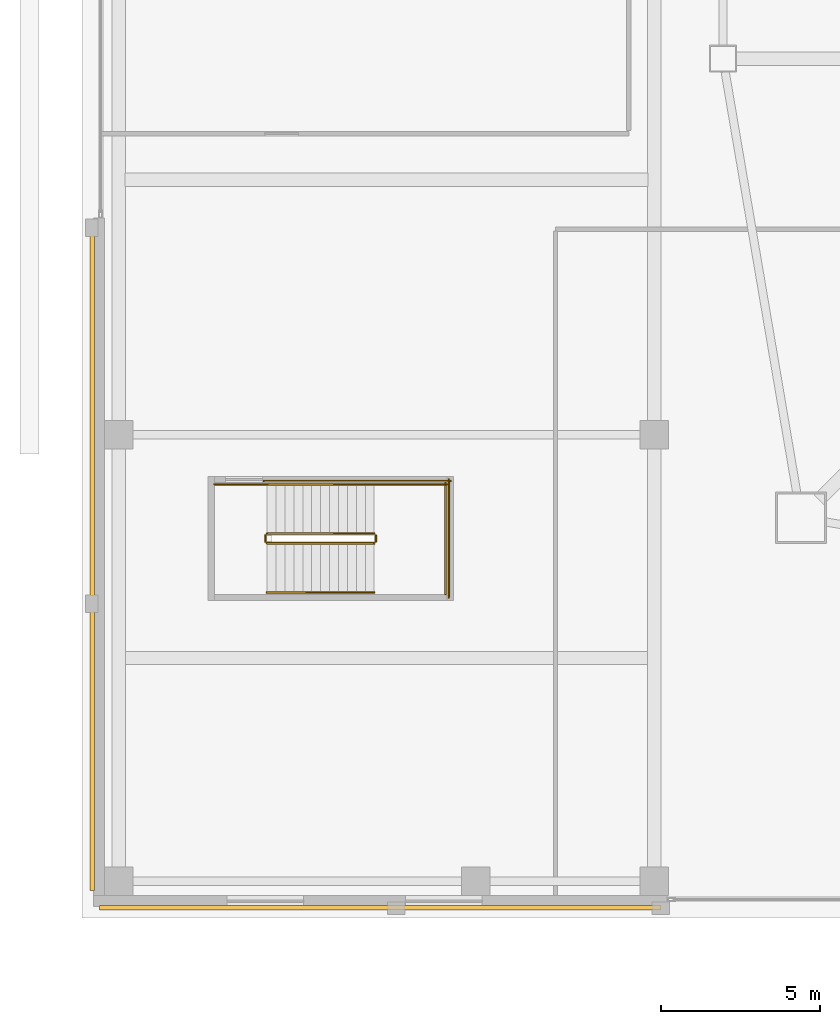
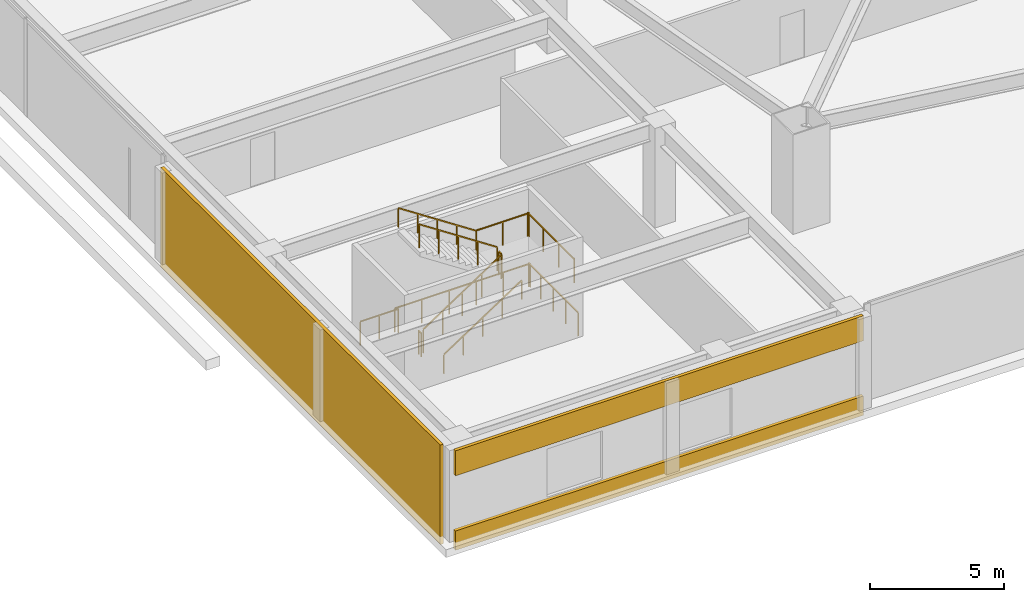
# One storey, part 36 of 44: 11 railings, 3 coverings.
"""IFC4 building model written with IfcOpenShell, lengths in metres."""

from ifc_helpers import new_model, si_unit, direction, frame, origin, origin_2d, place, context, subcontext, project, spatial, rectangle, extrude, material, layer, layer_set, type_object, element, save


model = new_model("IFC4")

# Units and contexts
model_context = context("Model", 3, precision=1e-05, world=origin(), true_north=direction((0.0, 1.0)))
body_context = subcontext(model_context, "Body", "Model", "MODEL_VIEW")
ifc_project = project(units=[si_unit("LENGTHUNIT", "METRE"), si_unit("AREAUNIT", "SQUARE_METRE"), si_unit("VOLUMEUNIT", "CUBIC_METRE"), si_unit("PLANEANGLEUNIT", "RADIAN"), si_unit("MASSUNIT", "GRAM", prefix="KILO")], contexts=[model_context])

# Site, building, storey
site_placement = place(None, origin())
site = spatial("IfcSite", under=ifc_project, at=site_placement, CompositionType="ELEMENT")
building_placement = place(site_placement, origin())
building = spatial("IfcBuilding", under=site, at=building_placement, Name="Tashvorn Skyway Center", CompositionType="ELEMENT")
storey_placement = place(building_placement, frame((0.0, 0.0, 5.39990234375)))
storey = spatial("IfcBuildingStorey", under=building, at=storey_placement, Name="L01", CompositionType="ELEMENT", Elevation=5.39990234375)

# Coverings
ifc_material_1 = material(Name="Precast concrete C40/50", Category="concrete")
ifc_layer = layer(ifc_material_1, 0.35009765625)
ifc_layer_set = layer_set([ifc_layer], Name="Precast concrete C40/50")
covering_type = type_object("IfcCoveringType", Name="COV-STONE-TRIM", PredefinedType="CLADDING", material=ifc_layer_set)
covering_1_placement = place(storey_placement, frame((9.0, -0.0400390625, 0.000244140625), z_axis=(0.0, 0.0, 1.0), x_axis=(1.0, 0.0, 0.0)))
element("IfcCovering", 1, at=covering_1_placement, inside=storey, type_object=covering_type, Name="L01 Limestone Sill Course S-W1", PredefinedType="CLADDING", context=body_context, shape_type="SweptSolid", body=[
    extrude(rectangle(XDim=17.60009765625, YDim=0.139892578125, at=origin_2d()), origin(), (0.0, 0.0, 1.0), 0.8798828125),
])
covering_2_placement = place(storey_placement, frame((9.0, -0.0400390625, 3.400390625), z_axis=(0.0, 0.0, 1.0), x_axis=(1.0, 0.0, 0.0)))
element("IfcCovering", 2, at=covering_2_placement, inside=storey, type_object=covering_type, Name="L01 Limestone Spandrel Course S-W1", PredefinedType="CLADDING", context=body_context, shape_type="SweptSolid", body=[
    extrude(rectangle(XDim=17.60009765625, YDim=0.139892578125, at=origin_2d()), origin(), (0.0, 0.0, 1.0), 1.139892578125),
])
covering_3_placement = place(storey_placement, frame((-0.0400390625, 10.949951171875, 0.0), z_axis=(0.0, 0.0, 1.0), x_axis=(1.0, 0.0, 0.0)))
element("IfcCovering", 3, at=covering_3_placement, inside=storey, type_object=covering_type, Name="L01 Limestone Rusticated Pier W-S", PredefinedType="CLADDING", context=body_context, shape_type="SweptSolid", body=[
    extrude(rectangle(XDim=0.139892578125, YDim=20.89990234375, at=origin_2d()), origin(), (0.0, 0.0, 1.0), 4.5400390625),
])

# Railings
ifc_material_2 = material(Name="Brushed stainless steel 316", Category="steel")
railing_type_1 = type_object("IfcRailingType", Name="RAIL-HAND-920", PredefinedType="HANDRAIL", material=ifc_material_2)
railing_1_placement = place(storey_placement, frame((5.449951171875, 9.85009765625, 0.184814453125)))
element("IfcRailing", 4, at=railing_1_placement, inside=storey, type_object=railing_type_1, Name="L01 ST-POD-1 stair handrail 1", PredefinedType="HANDRAIL", context=body_context, shape_type="SweptSolid", body=[
    extrude(rectangle(XDim=0.048095703125, YDim=0.048095703125, at=origin_2d()), frame((0.0, 0.0, 0.8759765625), z_axis=(0.834876476806, 0.0, 0.550437342915), x_axis=(0.0, 1.0, 0.0)), (0.0, 0.0, 1.0), 4.024658203125),
    extrude(rectangle(XDim=0.0419921875, YDim=0.0419921875, at=origin_2d()), origin(), (0.0, 0.0, 1.0), 0.851806640625),
    extrude(rectangle(XDim=0.0419921875, YDim=0.0419921875, at=origin_2d()), frame((0.840087890625, 0.0, 0.5537109375)), (0.0, 0.0, 1.0), 0.851806640625),
    extrude(rectangle(XDim=0.0419921875, YDim=0.0419921875, at=origin_2d()), frame((1.68017578125, 0.0, 1.107666015625)), (0.0, 0.0, 1.0), 0.851806640625),
    extrude(rectangle(XDim=0.0419921875, YDim=0.0419921875, at=origin_2d()), frame((2.52001953125, 0.0, 1.66162109375)), (0.0, 0.0, 1.0), 0.851806640625),
    extrude(rectangle(XDim=0.0419921875, YDim=0.0419921875, at=origin_2d()), frame((3.360107421875, 0.0, 2.21533203125)), (0.0, 0.0, 1.0), 0.851806640625),
])
railing_2_placement = place(storey_placement, frame((8.81005859375, 13.25, 2.584716796875)))
element("IfcRailing", 5, at=railing_2_placement, inside=storey, type_object=railing_type_1, Name="L01 ST-POD-1 stair handrail 2", PredefinedType="HANDRAIL", context=body_context, shape_type="SweptSolid", body=[
    extrude(rectangle(XDim=0.048095703125, YDim=0.048095703125, at=origin_2d()), frame((0.0, 0.0, 0.8759765625), z_axis=(-0.834876476806, 0.0, 0.550437342915), x_axis=(0.0, -1.0, 0.0)), (0.0, 0.0, 1.0), 4.024658203125),
    extrude(rectangle(XDim=0.0419921875, YDim=0.0419921875, at=origin_2d()), origin(), (0.0, 0.0, 1.0), 0.851806640625),
    extrude(rectangle(XDim=0.0419921875, YDim=0.0419921875, at=origin_2d()), frame((-0.840087890625, 0.0, 0.5537109375)), (0.0, 0.0, 1.0), 0.851806640625),
    extrude(rectangle(XDim=0.0419921875, YDim=0.0419921875, at=origin_2d()), frame((-1.68017578125, 0.0, 1.107666015625)), (0.0, 0.0, 1.0), 0.851806640625),
    extrude(rectangle(XDim=0.0419921875, YDim=0.0419921875, at=origin_2d()), frame((-2.52001953125, 0.0, 1.66162109375)), (0.0, 0.0, 1.0), 0.851806640625),
    extrude(rectangle(XDim=0.0419921875, YDim=0.0419921875, at=origin_2d()), frame((-3.360107421875, 0.0, 2.21533203125)), (0.0, 0.0, 1.0), 0.851806640625),
])
ifc_material_3 = material(Name="Painted galvanized steel S355", Category="steel")
railing_type_2 = type_object("IfcRailingType", Name="RAIL-STGUARD-1100", PredefinedType="GUARDRAIL", material=ifc_material_3)
railing_3_placement = place(storey_placement, frame((5.449951171875, 11.39990234375, 0.184814453125)))
element("IfcRailing", 6, at=railing_3_placement, inside=storey, type_object=railing_type_2, Name="L01 ST-POD-1 stair guard 1", PredefinedType="GUARDRAIL", context=body_context, shape_type="SweptSolid", body=[
    extrude(rectangle(XDim=0.048095703125, YDim=0.048095703125, at=origin_2d()), frame((0.0, 0.0, 1.076171875), z_axis=(0.834876476806, 0.0, 0.550437342915), x_axis=(0.0, 1.0, 0.0)), (0.0, 0.0, 1.0), 4.024658203125),
    extrude(rectangle(XDim=0.0419921875, YDim=0.0419921875, at=origin_2d()), origin(), (0.0, 0.0, 1.0), 1.052001953125),
    extrude(rectangle(XDim=0.0419921875, YDim=0.0419921875, at=origin_2d()), frame((0.840087890625, 0.0, 0.5537109375)), (0.0, 0.0, 1.0), 1.052001953125),
    extrude(rectangle(XDim=0.0419921875, YDim=0.0419921875, at=origin_2d()), frame((1.68017578125, 0.0, 1.107666015625)), (0.0, 0.0, 1.0), 1.052001953125),
    extrude(rectangle(XDim=0.0419921875, YDim=0.0419921875, at=origin_2d()), frame((2.52001953125, 0.0, 1.66162109375)), (0.0, 0.0, 1.0), 1.052001953125),
    extrude(rectangle(XDim=0.0419921875, YDim=0.0419921875, at=origin_2d()), frame((3.360107421875, 0.0, 2.21533203125)), (0.0, 0.0, 1.0), 1.052001953125),
])
railing_4_placement = place(storey_placement, frame((8.860107421875, 11.449951171875, 2.400146484375)))
element("IfcRailing", 7, at=railing_4_placement, inside=storey, type_object=railing_type_2, Name="L01 ST-POD-1 stair guard 2", PredefinedType="GUARDRAIL", context=body_context, shape_type="SweptSolid", body=[
    extrude(rectangle(XDim=0.048095703125, YDim=0.048095703125, at=origin_2d()), frame((0.0, 0.0, 1.076171875), z_axis=(0.0, 1.0, 0.0), x_axis=(-1.0, 0.0, 0.0)), (0.0, 0.0, 1.0), 0.199951171875),
    extrude(rectangle(XDim=0.0419921875, YDim=0.0419921875, at=origin_2d()), origin(), (0.0, 0.0, 1.0), 1.052001953125),
    extrude(rectangle(XDim=0.0419921875, YDim=0.0419921875, at=origin_2d()), frame((0.0, 0.199951171875, 0.0)), (0.0, 0.0, 1.0), 1.052001953125),
])
railing_5_placement = place(storey_placement, frame((8.81005859375, 13.25, 2.400146484375)))
element("IfcRailing", 8, at=railing_5_placement, inside=storey, type_object=railing_type_2, Name="L01 ST-POD-1 stair guard 3", PredefinedType="GUARDRAIL", context=body_context, shape_type="SweptSolid", body=[
    extrude(rectangle(XDim=0.048095703125, YDim=0.048095703125, at=origin_2d()), frame((0.0, 0.0, 1.076171875), z_axis=(1.0, 0.0, 0.0), x_axis=(0.0, 1.0, 0.0)), (0.0, 0.0, 1.0), 2.2900390625),
    extrude(rectangle(XDim=0.0419921875, YDim=0.0419921875, at=origin_2d()), origin(), (0.0, 0.0, 1.0), 1.052001953125),
    extrude(rectangle(XDim=0.0419921875, YDim=0.0419921875, at=origin_2d()), frame((1.14501953125, 0.0, 0.0)), (0.0, 0.0, 1.0), 1.052001953125),
    extrude(rectangle(XDim=0.0419921875, YDim=0.0419921875, at=origin_2d()), frame((2.2900390625, 0.0, 0.0)), (0.0, 0.0, 1.0), 1.052001953125),
])
railing_6_placement = place(storey_placement, frame((11.050048828125, 9.800048828125, 2.400146484375)))
element("IfcRailing", 9, at=railing_6_placement, inside=storey, type_object=railing_type_2, Name="L01 ST-POD-1 stair guard 4", PredefinedType="GUARDRAIL", context=body_context, shape_type="SweptSolid", body=[
    extrude(rectangle(XDim=0.048095703125, YDim=0.048095703125, at=origin_2d()), frame((0.0, 0.0, 1.076171875), z_axis=(0.0, 1.0, 0.0), x_axis=(-1.0, 0.0, 0.0)), (0.0, 0.0, 1.0), 3.5),
    extrude(rectangle(XDim=0.0419921875, YDim=0.0419921875, at=origin_2d()), origin(), (0.0, 0.0, 1.0), 1.052001953125),
    extrude(rectangle(XDim=0.0419921875, YDim=0.0419921875, at=origin_2d()), frame((0.0, 1.166748046875, 0.0)), (0.0, 0.0, 1.0), 1.052001953125),
    extrude(rectangle(XDim=0.0419921875, YDim=0.0419921875, at=origin_2d()), frame((0.0, 2.333251953125, 0.0)), (0.0, 0.0, 1.0), 1.052001953125),
    extrude(rectangle(XDim=0.0419921875, YDim=0.0419921875, at=origin_2d()), frame((0.0, 3.5, 0.0)), (0.0, 0.0, 1.0), 1.052001953125),
])
railing_7_placement = place(storey_placement, frame((8.81005859375, 11.699951171875, 2.584716796875)))
element("IfcRailing", 10, at=railing_7_placement, inside=storey, type_object=railing_type_2, Name="L01 ST-POD-1 stair guard 5", PredefinedType="GUARDRAIL", context=body_context, shape_type="SweptSolid", body=[
    extrude(rectangle(XDim=0.048095703125, YDim=0.048095703125, at=origin_2d()), frame((0.0, 0.0, 1.076171875), z_axis=(-0.834876476806, 0.0, 0.550437342915), x_axis=(0.0, -1.0, 0.0)), (0.0, 0.0, 1.0), 4.024658203125),
    extrude(rectangle(XDim=0.0419921875, YDim=0.0419921875, at=origin_2d()), origin(), (0.0, 0.0, 1.0), 1.052001953125),
    extrude(rectangle(XDim=0.0419921875, YDim=0.0419921875, at=origin_2d()), frame((-0.840087890625, 0.0, 0.5537109375)), (0.0, 0.0, 1.0), 1.052001953125),
    extrude(rectangle(XDim=0.0419921875, YDim=0.0419921875, at=origin_2d()), frame((-1.68017578125, 0.0, 1.107666015625)), (0.0, 0.0, 1.0), 1.052001953125),
    extrude(rectangle(XDim=0.0419921875, YDim=0.0419921875, at=origin_2d()), frame((-2.52001953125, 0.0, 1.66162109375)), (0.0, 0.0, 1.0), 1.052001953125),
    extrude(rectangle(XDim=0.0419921875, YDim=0.0419921875, at=origin_2d()), frame((-3.360107421875, 0.0, 2.21533203125)), (0.0, 0.0, 1.0), 1.052001953125),
])
railing_8_placement = place(storey_placement, frame((5.39990234375, 11.449951171875, 0.0)))
element("IfcRailing", 11, at=railing_8_placement, inside=storey, type_object=railing_type_2, Name="L01 ST-POD-1 stair guard 6", PredefinedType="GUARDRAIL", context=body_context, shape_type="SweptSolid", body=[
    extrude(rectangle(XDim=0.048095703125, YDim=0.048095703125, at=origin_2d()), frame((0.0, 0.0, 1.076171875), z_axis=(0.0, 1.0, 0.0), x_axis=(-1.0, 0.0, 0.0)), (0.0, 0.0, 1.0), 0.199951171875),
    extrude(rectangle(XDim=0.0419921875, YDim=0.0419921875, at=origin_2d()), origin(), (0.0, 0.0, 1.0), 1.052001953125),
    extrude(rectangle(XDim=0.0419921875, YDim=0.0419921875, at=origin_2d()), frame((0.0, 0.199951171875, 0.0)), (0.0, 0.0, 1.0), 1.052001953125),
])
railing_9_placement = place(storey_placement, frame((3.800048828125, 13.25, 0.0)))
element("IfcRailing", 12, at=railing_9_placement, inside=storey, type_object=railing_type_2, Name="L01 ST-POD-1 stair guard 7", PredefinedType="GUARDRAIL", context=body_context, shape_type="SweptSolid", body=[
    extrude(rectangle(XDim=0.048095703125, YDim=0.048095703125, at=origin_2d()), frame((0.0, 0.0, 1.076171875), z_axis=(1.0, 0.0, 0.0), x_axis=(0.0, 1.0, 0.0)), (0.0, 0.0, 1.0), 1.64990234375),
    extrude(rectangle(XDim=0.0419921875, YDim=0.0419921875, at=origin_2d()), origin(), (0.0, 0.0, 1.0), 1.052001953125),
    extrude(rectangle(XDim=0.0419921875, YDim=0.0419921875, at=origin_2d()), frame((0.824951171875, 0.0, 0.0)), (0.0, 0.0, 1.0), 1.052001953125),
    extrude(rectangle(XDim=0.0419921875, YDim=0.0419921875, at=origin_2d()), frame((1.64990234375, 0.0, 0.0)), (0.0, 0.0, 1.0), 1.052001953125),
])
railing_10_placement = place(storey_placement, frame((5.35009765625, 13.35009765625, 0.0)))
element("IfcRailing", 13, at=railing_10_placement, inside=storey, type_object=railing_type_2, Name="L01 ST-POD-1 stair guard 8", PredefinedType="GUARDRAIL", context=body_context, shape_type="SweptSolid", body=[
    extrude(rectangle(XDim=0.048095703125, YDim=0.048095703125, at=origin_2d()), frame((0.0, 0.0, 1.076171875), z_axis=(1.0, 0.0, 0.0), x_axis=(0.0, 1.0, 0.0)), (0.0, 0.0, 1.0), 5.849853515625),
    extrude(rectangle(XDim=0.0419921875, YDim=0.0419921875, at=origin_2d()), origin(), (0.0, 0.0, 1.0), 1.052001953125),
    extrude(rectangle(XDim=0.0419921875, YDim=0.0419921875, at=origin_2d()), frame((1.169921875, 0.0, 0.0)), (0.0, 0.0, 1.0), 1.052001953125),
    extrude(rectangle(XDim=0.0419921875, YDim=0.0419921875, at=origin_2d()), frame((2.33984375, 0.0, 0.0)), (0.0, 0.0, 1.0), 1.052001953125),
    extrude(rectangle(XDim=0.0419921875, YDim=0.0419921875, at=origin_2d()), frame((3.510009765625, 0.0, 0.0)), (0.0, 0.0, 1.0), 1.052001953125),
    extrude(rectangle(XDim=0.0419921875, YDim=0.0419921875, at=origin_2d()), frame((4.679931640625, 0.0, 0.0)), (0.0, 0.0, 1.0), 1.052001953125),
    extrude(rectangle(XDim=0.0419921875, YDim=0.0419921875, at=origin_2d()), frame((5.849853515625, 0.0, 0.0)), (0.0, 0.0, 1.0), 1.052001953125),
])
railing_11_placement = place(storey_placement, frame((11.14990234375, 9.699951171875, 0.0)))
element("IfcRailing", 14, at=railing_11_placement, inside=storey, type_object=railing_type_2, Name="L01 ST-POD-1 stair guard 9", PredefinedType="GUARDRAIL", context=body_context, shape_type="SweptSolid", body=[
    extrude(rectangle(XDim=0.048095703125, YDim=0.048095703125, at=origin_2d()), frame((0.0, 0.0, 1.076171875), z_axis=(0.0, 1.0, 0.0), x_axis=(-1.0, 0.0, 0.0)), (0.0, 0.0, 1.0), 3.699951171875),
    extrude(rectangle(XDim=0.0419921875, YDim=0.0419921875, at=origin_2d()), origin(), (0.0, 0.0, 1.0), 1.052001953125),
    extrude(rectangle(XDim=0.0419921875, YDim=0.0419921875, at=origin_2d()), frame((0.0, 0.925048828125, 0.0)), (0.0, 0.0, 1.0), 1.052001953125),
    extrude(rectangle(XDim=0.0419921875, YDim=0.0419921875, at=origin_2d()), frame((0.0, 1.85009765625, 0.0)), (0.0, 0.0, 1.0), 1.052001953125),
    extrude(rectangle(XDim=0.0419921875, YDim=0.0419921875, at=origin_2d()), frame((0.0, 2.77490234375, 0.0)), (0.0, 0.0, 1.0), 1.052001953125),
    extrude(rectangle(XDim=0.0419921875, YDim=0.0419921875, at=origin_2d()), frame((0.0, 3.699951171875, 0.0)), (0.0, 0.0, 1.0), 1.052001953125),
])

save(model, "model.ifc")
